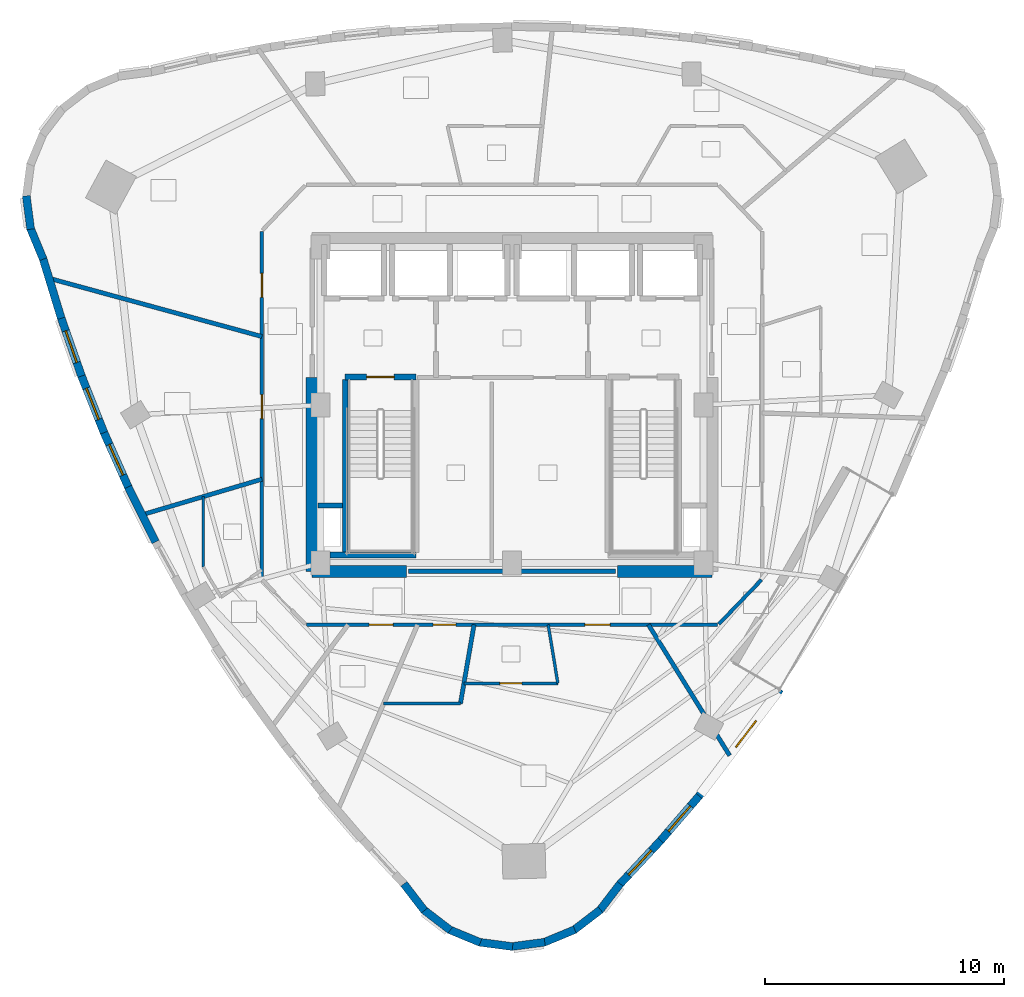
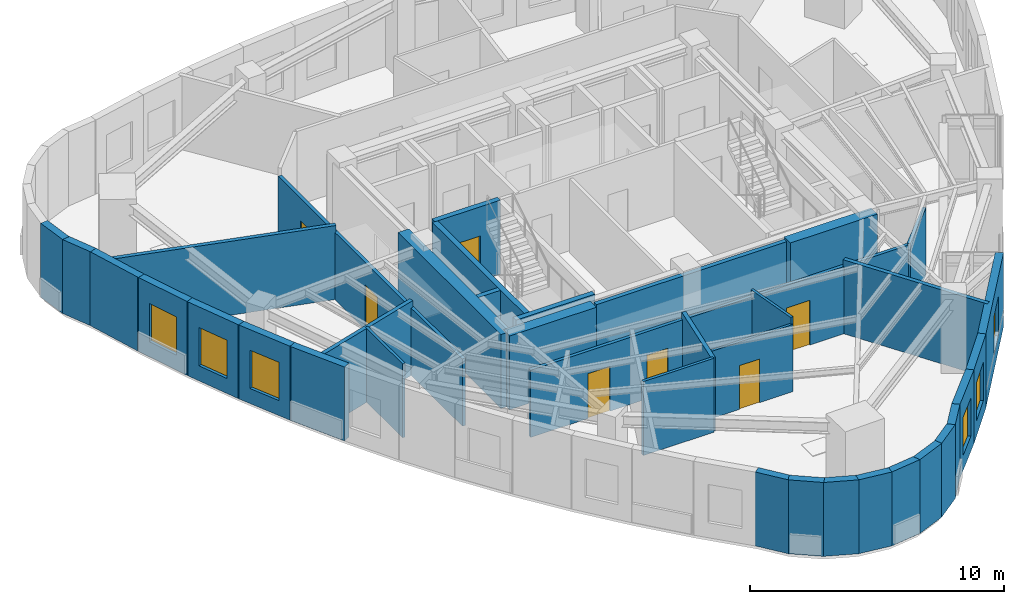
# One storey, part 6 of 12: 37 walls, 7 doors, 6 windows, 13 openings.
"""IFC4 building model written with IfcOpenShell, lengths in metres."""

from ifc_helpers import new_model, si_unit, direction, frame, frame_2d, origin, place, context, subcontext, project, spatial, rectangle, extrude, material, layer, layer_set, type_object, element, fill, save


model = new_model("IFC4")

# Units and contexts
model_context = context("Model", 3, precision=1e-05, world=origin(), true_north=direction((0.0, 1.0)))
body_context = subcontext(model_context, "Body", "Model", "MODEL_VIEW")
ifc_project = project(units=[si_unit("LENGTHUNIT", "METRE"), si_unit("AREAUNIT", "SQUARE_METRE"), si_unit("VOLUMEUNIT", "CUBIC_METRE"), si_unit("PLANEANGLEUNIT", "RADIAN"), si_unit("MASSUNIT", "GRAM", prefix="KILO")], contexts=[model_context])

# Site, building, storey
site_placement = place(None, origin())
site = spatial("IfcSite", under=ifc_project, at=site_placement, CompositionType="ELEMENT")
building_placement = place(site_placement, origin())
building = spatial("IfcBuilding", under=site, at=building_placement, Name="Ndelora Gate Hotel", CompositionType="ELEMENT")
storey_placement = place(building_placement, frame((0.0, 0.0, 209.35009765625)))
storey = spatial("IfcBuildingStorey", under=building, at=storey_placement, Name="L52", CompositionType="ELEMENT", Elevation=209.35009765625)

# Walls
ifc_material_1 = material(Name="Acoustic Double-Stud Gypsum Assembly", Category="gypsum")
ifc_layer_1 = layer(ifc_material_1, 0.179931640625)
ifc_layer_set_1 = layer_set([ifc_layer_1], Name="Acoustic Double-Stud Gypsum Assembly")
wall_type_1 = type_object("IfcWallType", Name="WL-ACOUST-180", PredefinedType="PARTITIONING", material=ifc_layer_set_1)
wall_1_placement = place(storey_placement, frame((-1.5849609375, -9.179931640625, 0.0), z_axis=(0.0, 0.0, 1.0), x_axis=(-0.170153481889, -0.985417572708, 0.0)))
element("IfcWall", 1, at=wall_1_placement, inside=storey, type_object=wall_type_1, Name="L52 Interior Wall IW-3", PredefinedType="PARTITIONING", context=body_context, shape_type="SweptSolid", body=[
    extrude(rectangle(XDim=3.348876953125, YDim=0.179931640625, at=frame_2d((1.67431640625, 0.0))), origin(), (0.0, 0.0, 1.0), 3.5498046875),
])
wall_2_placement = place(storey_placement, frame((5.699951171875, -9.179931640625, 0.0), z_axis=(0.0, 0.0, 1.0), x_axis=(0.527494096937, -0.849558695851, 0.0)))
element("IfcWall", 2, at=wall_2_placement, inside=storey, type_object=wall_type_1, Name="L52 Interior Wall IW-3", PredefinedType="PARTITIONING", context=body_context, shape_type="SweptSolid", body=[
    extrude(rectangle(XDim=6.4365234375, YDim=0.179931640625, at=frame_2d((3.21826171875, 0.0))), origin(), (0.0, 0.0, 1.0), 3.5498046875),
])
wall_3_placement = place(storey_placement, frame((-10.449951171875, 2.860107421875, 0.0), z_axis=(0.0, 0.0, 1.0), x_axis=(-0.964534389735, 0.26395721437, 0.0)))
element("IfcWall", 3, at=wall_3_placement, inside=storey, type_object=wall_type_1, Name="L52 Interior Wall IW-3", PredefinedType="PARTITIONING", context=body_context, shape_type="SweptSolid", body=[
    extrude(rectangle(XDim=9.223388671875, YDim=0.179931640625, at=frame_2d((4.61181640625, 0.0))), origin(), (0.0, 0.0, 1.0), 3.5498046875),
])
wall_4_placement = place(storey_placement, frame((-10.449951171875, -3.1015625, 0.0), z_axis=(0.0, 0.0, 1.0), x_axis=(-0.958678324952, -0.284492300894, 0.0)))
element("IfcWall", 4, at=wall_4_placement, inside=storey, type_object=wall_type_1, Name="L52 Interior Wall IW-3", PredefinedType="PARTITIONING", context=body_context, shape_type="SweptSolid", body=[
    extrude(rectangle(XDim=5.226318359375, YDim=0.179931640625, at=frame_2d((2.61328125, 0.0))), origin(), (0.0, 0.0, 1.0), 3.5498046875),
])
ifc_material_2 = material(Name="Clay Brick Masonry", Category="masonry")
ifc_layer_2 = layer(ifc_material_2, 0.330078125)
ifc_layer_set_2 = layer_set([ifc_layer_2], Name="Clay Brick Masonry")
wall_type_2 = type_object("IfcWallType", Name="WL-BRICK-330", PredefinedType="SOLIDWALL", material=ifc_layer_set_2)
for number, where, z_axis, x_axis, name in (
    (5, (-20.11279296875, 7.343505859375, 0.0), (0.0, 0.0, 1.0), (-0.130607061093, 0.991434211429, 0.0), "L52 Tower Brick Pier-and-Spandrel Wall TWR-7"),
    (6, (-19.587158203125, 6.091064453125, 0.0), (0.0, 0.0, 1.0), (-0.382668413767, 0.923885753275, 0.0), "L52 Tower Brick Pier-and-Spandrel Wall TWR-8"),
):
    element("IfcWall", number, at=place(storey_placement, frame(where, z_axis=z_axis, x_axis=x_axis)), inside=storey, type_object=wall_type_2, Name=name, PredefinedType="SOLIDWALL", context=body_context, shape_type="SweptSolid", body=[
        extrude(rectangle(XDim=1.407470703125, YDim=0.330078125, at=frame_2d((0.70361328125, 0.0))), origin(), (0.0, 0.0, 1.0), 3.5498046875),
    ])
wall_5_placement = place(storey_placement, frame((-18.83447265625, 3.621337890625, 0.0), z_axis=(0.0, 0.0, 1.0), x_axis=(-0.292416512209, 0.956291055792, 0.0)))
element("IfcWall", 7, at=wall_5_placement, inside=storey, type_object=wall_type_2, Name="L52 Tower Brick Pier-and-Spandrel Wall TWR-9", PredefinedType="SOLIDWALL", context=body_context, shape_type="SweptSolid", body=[
    extrude(rectangle(XDim=2.631591796875, YDim=0.330078125, at=frame_2d((1.31591796875, 0.0))), origin(), (0.0, 0.0, 1.0), 3.5498046875),
])

# Wall, opening, window
wall_6_placement = place(storey_placement, frame((-17.98681640625, 1.205810546875, 0.0), z_axis=(0.0, 0.0, 1.0), x_axis=(-0.330754550378, 0.94371681526, 0.0)))
wall_6 = element("IfcWall", 8, at=wall_6_placement, inside=storey, type_object=wall_type_2, Name="L52 Tower Brick Pier-and-Spandrel Wall TWR-10", PredefinedType="SOLIDWALL", context=body_context, shape_type="SweptSolid", body=[
    extrude(rectangle(XDim=2.610107421875, YDim=0.330078125, at=frame_2d((1.30517578125, 0.0))), origin(), (0.0, 0.0, 1.0), 3.5498046875),
])
opening_1_placement = place(wall_6_placement, frame((0.60498046875, 0.0, 0.719970703125)))
opening_1 = element("IfcOpeningElement", 9, at=opening_1_placement, cuts=wall_6, Name="Opening W02", PredefinedType="OPENING", context=body_context, shape_type="SweptSolid", body=[
    extrude(rectangle(XDim=1.39990234375, YDim=1.840087890625, at=frame_2d((0.699951171875, 0.919921875))), frame((0.0, 0.175048828125, 0.0), z_axis=(0.0, -1.0, 0.0), x_axis=(1.0, 0.0, 0.0)), (0.0, 0.0, 1.0), 0.35009765625),
])
ifc_material_3 = material(Name="Insulated Low-E Double Glazing in Bronze Aluminium Frame", Category="aluminium")
window_type = type_object("IfcWindowType", Name="WN-DEEP-1400", PartitioningType="SINGLE_PANEL", PredefinedType="WINDOW", material=ifc_material_3)
window_1_placement = place(opening_1_placement, origin())
window_1 = element("IfcWindow", 10, at=window_1_placement, inside=storey, type_object=window_type, Name="L52 Deep-Set Brick-Pier Window W02", OverallHeight=1.840087890625, OverallWidth=1.39990234375, PartitioningType="SINGLE_PANEL", PredefinedType="WINDOW", context=body_context, shape_type="SweptSolid", body=[
    extrude(rectangle(XDim=1.39990234375, YDim=1.840087890625, at=frame_2d((0.699951171875, 0.919921875))), frame((0.0, 0.030029296875, 0.0), z_axis=(0.0, -1.0, 0.0), x_axis=(1.0, 0.0, 0.0)), (0.0, 0.0, 1.0), 0.06005859375),
])
fill(opening_1, window_1)

wall_7_placement = place(storey_placement, frame((-17.048095703125, -1.1572265625, 0.0), z_axis=(0.0, 0.0, 1.0), x_axis=(-0.368872640276, 0.929479948819, 0.0)))
wall_7 = element("IfcWall", 11, at=wall_7_placement, inside=storey, type_object=wall_type_2, Name="L52 Tower Brick Pier-and-Spandrel Wall TWR-11", PredefinedType="SOLIDWALL", context=body_context, shape_type="SweptSolid", body=[
    extrude(rectangle(XDim=2.592529296875, YDim=0.330078125, at=frame_2d((1.29638671875, 0.0))), origin(), (0.0, 0.0, 1.0), 3.5498046875),
])
opening_2_placement = place(wall_7_placement, frame((0.59619140625, 0.0, 0.719970703125)))
opening_2 = element("IfcOpeningElement", 12, at=opening_2_placement, cuts=wall_7, Name="Opening W02", PredefinedType="OPENING", context=body_context, shape_type="SweptSolid", body=[
    extrude(rectangle(XDim=1.39990234375, YDim=1.840087890625, at=frame_2d((0.699951171875, 0.919921875))), frame((0.0, 0.175048828125, 0.0), z_axis=(0.0, -1.0, 0.0), x_axis=(1.0, 0.0, 0.0)), (0.0, 0.0, 1.0), 0.35009765625),
])
window_2_placement = place(opening_2_placement, origin())
window_2 = element("IfcWindow", 13, at=window_2_placement, inside=storey, type_object=window_type, Name="L52 Deep-Set Brick-Pier Window W02", OverallHeight=1.840087890625, OverallWidth=1.39990234375, PartitioningType="SINGLE_PANEL", PredefinedType="WINDOW", context=body_context, shape_type="SweptSolid", body=[
    extrude(rectangle(XDim=1.39990234375, YDim=1.840087890625, at=frame_2d((0.699951171875, 0.919921875))), frame((0.0, 0.030029296875, 0.0), z_axis=(0.0, -1.0, 0.0), x_axis=(1.0, 0.0, 0.0)), (0.0, 0.0, 1.0), 0.06005859375),
])
fill(opening_2, window_2)

wall_8_placement = place(storey_placement, frame((-16.01806640625, -3.46728515625, 0.0), z_axis=(0.0, 0.0, 1.0), x_axis=(-0.40690235828, 0.913471658469, 0.0)))
wall_8 = element("IfcWall", 14, at=wall_8_placement, inside=storey, type_object=wall_type_2, Name="L52 Tower Brick Pier-and-Spandrel Wall TWR-12", PredefinedType="SOLIDWALL", context=body_context, shape_type="SweptSolid", body=[
    extrude(rectangle(XDim=2.579345703125, YDim=0.330078125, at=frame_2d((1.28955078125, 0.0))), origin(), (0.0, 0.0, 1.0), 3.5498046875),
])
opening_3_placement = place(wall_8_placement, frame((0.589599609375, 0.0, 0.719970703125)))
opening_3 = element("IfcOpeningElement", 15, at=opening_3_placement, cuts=wall_8, Name="Opening W02", PredefinedType="OPENING", context=body_context, shape_type="SweptSolid", body=[
    extrude(rectangle(XDim=1.39990234375, YDim=1.840087890625, at=frame_2d((0.699951171875, 0.919921875))), frame((0.0, 0.175048828125, 0.0), z_axis=(0.0, -1.0, 0.0), x_axis=(1.0, 0.0, 0.0)), (0.0, 0.0, 1.0), 0.35009765625),
])
window_3_placement = place(opening_3_placement, origin())
window_3 = element("IfcWindow", 16, at=window_3_placement, inside=storey, type_object=window_type, Name="L52 Deep-Set Brick-Pier Window W02", OverallHeight=1.840087890625, OverallWidth=1.39990234375, PartitioningType="SINGLE_PANEL", PredefinedType="WINDOW", context=body_context, shape_type="SweptSolid", body=[
    extrude(rectangle(XDim=1.39990234375, YDim=1.840087890625, at=frame_2d((0.699951171875, 0.919921875))), frame((0.0, 0.030029296875, 0.0), z_axis=(0.0, -1.0, 0.0), x_axis=(1.0, 0.0, 0.0)), (0.0, 0.0, 1.0), 0.06005859375),
])
fill(opening_3, window_3)

# Walls
wall_9_placement = place(storey_placement, frame((-14.896484375, -5.724609375, 0.0), z_axis=(0.0, 0.0, 1.0), x_axis=(-0.444590292188, 0.895734040936, 0.0)))
element("IfcWall", 17, at=wall_9_placement, inside=storey, type_object=wall_type_2, Name="L52 Tower Brick Pier-and-Spandrel Wall TWR-13", PredefinedType="SOLIDWALL", context=body_context, shape_type="SweptSolid", body=[
    extrude(rectangle(XDim=2.570556640625, YDim=0.330078125, at=frame_2d((1.28515625, 0.0))), origin(), (0.0, 0.0, 1.0), 3.5498046875),
])
wall_10_placement = place(storey_placement, frame((-3.661865234375, -21.125, 0.0), z_axis=(0.0, 0.0, 1.0), x_axis=(-0.608762923213, 0.793352193746, 0.0)))
element("IfcWall", 18, at=wall_10_placement, inside=storey, type_object=wall_type_2, Name="L52 Tower Brick Pier-and-Spandrel Wall TWR-21", PredefinedType="SOLIDWALL", context=body_context, shape_type="SweptSolid", body=[
    extrude(rectangle(XDim=1.4072265625, YDim=0.330078125, at=frame_2d((0.70361328125, 0.0))), origin(), (0.0, 0.0, 1.0), 3.5498046875),
])
for number, where, z_axis, x_axis, name in (
    (19, (-2.580078125, -21.94677734375, 0.0), (0.0, 0.0, 1.0), (-0.793416473107, 0.608679143886, 0.0), "L52 Tower Brick Pier-and-Spandrel Wall TWR-22"),
    (20, (-1.32275390625, -22.460693359375, 0.0), (0.0, 0.0, 1.0), (-0.923885753275, 0.382668413767, 0.0), "L52 Tower Brick Pier-and-Spandrel Wall TWR-23"),
    (21, (0.02490234375, -22.631591796875, 0.0), (0.0, 0.0, 1.0), (-0.991434211429, 0.130607061093, 0.0), "L52 Tower Brick Pier-and-Spandrel Wall TWR-24"),
    (22, (1.37060546875, -22.44775390625, 0.0), (0.0, 0.0, 1.0), (-0.991434211429, -0.130607061093, 0.0), "L52 Tower Brick Pier-and-Spandrel Wall TWR-25"),
    (23, (2.623046875, -21.922119140625, 0.0), (0.0, 0.0, 1.0), (-0.923885753275, -0.382668413767, 0.0), "L52 Tower Brick Pier-and-Spandrel Wall TWR-26"),
    (24, (3.69677734375, -21.090087890625, 0.0), (0.0, 0.0, 1.0), (-0.793416473107, -0.608679143886, 0.0), "L52 Tower Brick Pier-and-Spandrel Wall TWR-27"),
):
    element("IfcWall", number, at=place(storey_placement, frame(where, z_axis=z_axis, x_axis=x_axis)), inside=storey, type_object=wall_type_2, Name=name, PredefinedType="SOLIDWALL", context=body_context, shape_type="SweptSolid", body=[
        extrude(rectangle(XDim=1.407470703125, YDim=0.330078125, at=frame_2d((0.70361328125, 0.0))), origin(), (0.0, 0.0, 1.0), 3.5498046875),
    ])
wall_11_placement = place(storey_placement, frame((4.5185546875, -20.008544921875, 0.0), z_axis=(0.0, 0.0, 1.0), x_axis=(-0.608762923213, -0.793352193746, 0.0)))
element("IfcWall", 25, at=wall_11_placement, inside=storey, type_object=wall_type_2, Name="L52 Tower Brick Pier-and-Spandrel Wall TWR-28", PredefinedType="SOLIDWALL", context=body_context, shape_type="SweptSolid", body=[
    extrude(rectangle(XDim=1.4072265625, YDim=0.330078125, at=frame_2d((0.70361328125, 0.0))), origin(), (0.0, 0.0, 1.0), 3.5498046875),
])

# Wall, opening, window
wall_12_placement = place(storey_placement, frame((6.21240234375, -18.1982421875, 0.0), z_axis=(0.0, 0.0, 1.0), x_axis=(-0.68256240295, -0.730827316183, 0.0)))
wall_12 = element("IfcWall", 26, at=wall_12_placement, inside=storey, type_object=wall_type_2, Name="L52 Tower Brick Pier-and-Spandrel Wall TWR-29", PredefinedType="SOLIDWALL", context=body_context, shape_type="SweptSolid", body=[
    extrude(rectangle(XDim=2.529052734375, YDim=0.330078125, at=frame_2d((1.2646484375, 0.0))), origin(), (0.0, 0.0, 1.0), 3.5498046875),
])
opening_4_placement = place(wall_12_placement, frame((0.564453125, 0.0, 0.719970703125)))
opening_4 = element("IfcOpeningElement", 27, at=opening_4_placement, cuts=wall_12, Name="Opening W02", PredefinedType="OPENING", context=body_context, shape_type="SweptSolid", body=[
    extrude(rectangle(XDim=1.39990234375, YDim=1.840087890625, at=frame_2d((0.699951171875, 0.919921875))), frame((0.0, 0.175048828125, 0.0), z_axis=(0.0, -1.0, 0.0), x_axis=(1.0, 0.0, 0.0)), (0.0, 0.0, 1.0), 0.35009765625),
])
window_4_placement = place(opening_4_placement, origin())
window_4 = element("IfcWindow", 28, at=window_4_placement, inside=storey, type_object=window_type, Name="L52 Deep-Set Brick-Pier Window W02", OverallHeight=1.840087890625, OverallWidth=1.39990234375, PartitioningType="SINGLE_PANEL", PredefinedType="WINDOW", context=body_context, shape_type="SweptSolid", body=[
    extrude(rectangle(XDim=1.39990234375, YDim=1.840087890625, at=frame_2d((0.699951171875, 0.919921875))), frame((0.0, 0.030029296875, 0.0), z_axis=(0.0, -1.0, 0.0), x_axis=(1.0, 0.0, 0.0)), (0.0, 0.0, 1.0), 0.06005859375),
])
fill(opening_4, window_4)

wall_13_placement = place(storey_placement, frame((7.819091796875, -16.33740234375, 0.0), z_axis=(0.0, 0.0, 1.0), x_axis=(-0.653799751014, -0.756667618954, 0.0)))
wall_13 = element("IfcWall", 29, at=wall_13_placement, inside=storey, type_object=wall_type_2, Name="L52 Tower Brick Pier-and-Spandrel Wall TWR-30", PredefinedType="SOLIDWALL", context=body_context, shape_type="SweptSolid", body=[
    extrude(rectangle(XDim=2.508544921875, YDim=0.330078125, at=frame_2d((1.25439453125, 0.0))), origin(), (0.0, 0.0, 1.0), 3.5498046875),
])
opening_5_placement = place(wall_13_placement, frame((0.554443359375, 0.0, 0.719970703125)))
opening_5 = element("IfcOpeningElement", 30, at=opening_5_placement, cuts=wall_13, Name="Opening W02", PredefinedType="OPENING", context=body_context, shape_type="SweptSolid", body=[
    extrude(rectangle(XDim=1.39990234375, YDim=1.840087890625, at=frame_2d((0.699951171875, 0.919921875))), frame((0.0, 0.175048828125, 0.0), z_axis=(0.0, -1.0, 0.0), x_axis=(1.0, 0.0, 0.0)), (0.0, 0.0, 1.0), 0.35009765625),
])
window_5_placement = place(opening_5_placement, origin())
window_5 = element("IfcWindow", 31, at=window_5_placement, inside=storey, type_object=window_type, Name="L52 Deep-Set Brick-Pier Window W02", OverallHeight=1.840087890625, OverallWidth=1.39990234375, PartitioningType="SINGLE_PANEL", PredefinedType="WINDOW", context=body_context, shape_type="SweptSolid", body=[
    extrude(rectangle(XDim=1.39990234375, YDim=1.840087890625, at=frame_2d((0.699951171875, 0.919921875))), frame((0.0, 0.030029296875, 0.0), z_axis=(0.0, -1.0, 0.0), x_axis=(1.0, 0.0, 0.0)), (0.0, 0.0, 1.0), 0.06005859375),
])
fill(opening_5, window_5)

wall_14_placement = place(storey_placement, frame((11.200927734375, -11.865478515625, 0.0), z_axis=(0.0, 0.0, 1.0), x_axis=(-0.603392230828, -0.797444553418, 0.0)))
wall_14 = element("IfcWall", 32, at=wall_14_placement, inside=storey, type_object=wall_type_2, Name="L52 Tower Brick Pier-and-Spandrel Wall TWR-31", PredefinedType="SOLIDWALL", context=body_context, shape_type="SweptSolid", body=[
    extrude(rectangle(XDim=5.656494140625, YDim=0.330078125, at=frame_2d((2.828125, 0.0))), origin(), (0.0, 0.0, 1.0), 3.5498046875),
])
opening_6_placement = place(wall_14_placement, frame((1.659912109375, 0.0, 0.719970703125)))
opening_6 = element("IfcOpeningElement", 33, at=opening_6_placement, cuts=wall_14, Name="Opening W02", PredefinedType="OPENING", context=body_context, shape_type="SweptSolid", body=[
    extrude(rectangle(XDim=1.39990234375, YDim=1.8798828125, at=frame_2d((0.699951171875, 0.93994140625))), frame((0.0, 0.175048828125, 0.0), z_axis=(0.0, -1.0, 0.0), x_axis=(1.0, 0.0, 0.0)), (0.0, 0.0, 1.0), 0.35009765625),
])
window_6_placement = place(opening_6_placement, origin())
window_6 = element("IfcWindow", 34, at=window_6_placement, inside=storey, type_object=window_type, Name="L52 Deep-Set Brick-Pier Window W02", OverallHeight=1.8798828125, OverallWidth=1.39990234375, PartitioningType="SINGLE_PANEL", PredefinedType="WINDOW", context=body_context, shape_type="SweptSolid", body=[
    extrude(rectangle(XDim=1.39990234375, YDim=1.8798828125, at=frame_2d((0.699951171875, 0.93994140625))), frame((0.0, 0.030029296875, 0.0), z_axis=(0.0, -1.0, 0.0), x_axis=(1.0, 0.0, 0.0)), (0.0, 0.0, 1.0), 0.06005859375),
])
fill(opening_6, window_6)

# Walls
ifc_material_4 = material(Name="Concrete C50/60", Category="concrete")
ifc_layer_3 = layer(ifc_material_4, 0.5)
ifc_layer_set_3 = layer_set([ifc_layer_3], Name="Concrete C50/60")
wall_type_3 = type_object("IfcWallType", Name="WL-CORE-500", PredefinedType="SHEAR", material=ifc_layer_set_3)
for number, where, z_axis, x_axis, name in (
    (35, (-8.35009765625, -6.949951171875, 0.0), (0.0, 0.0, 1.0), (1.0, 0.0, 0.0), "L52 Core Shear Wall S-W"),
    (36, (4.39990234375, -6.949951171875, 0.0), (0.0, 0.0, 1.0), (1.0, 0.0, 0.0), "L52 Core Shear Wall S-E"),
):
    element("IfcWall", number, at=place(storey_placement, frame(where, z_axis=z_axis, x_axis=x_axis)), inside=storey, type_object=wall_type_3, Name=name, PredefinedType="SHEAR", context=body_context, shape_type="SweptSolid", body=[
        extrude(rectangle(XDim=3.9501953125, YDim=0.5, at=frame_2d((1.97509765625, 0.0))), origin(), (0.0, 0.0, 1.0), 3.5498046875),
    ])
wall_15_placement = place(storey_placement, frame((-8.35009765625, -6.949951171875, 0.0), z_axis=(0.0, 0.0, 1.0), x_axis=(0.0, 1.0, 0.0)))
element("IfcWall", 37, at=wall_15_placement, inside=storey, type_object=wall_type_3, Name="L52 Core Shear Wall W", PredefinedType="SHEAR", context=body_context, shape_type="SweptSolid", body=[
    extrude(rectangle(XDim=8.099853515625, YDim=0.5, at=frame_2d((4.0498046875, 0.0))), origin(), (0.0, 0.0, 1.0), 3.5498046875),
])
ifc_material_5 = material(Name="Concrete C40/50", Category="concrete")
ifc_layer_4 = layer(ifc_material_5, 0.199951171875)
ifc_layer_set_4 = layer_set([ifc_layer_4], Name="Concrete C40/50")
wall_type_4 = type_object("IfcWallType", Name="WL-FIRE-200", PredefinedType="PARTITIONING", material=ifc_layer_set_4)
wall_16_placement = place(storey_placement, frame((-4.320068359375, -6.949951171875, 0.0), z_axis=(0.0, 0.0, 1.0), x_axis=(1.0, 0.0, 0.0)))
element("IfcWall", 38, at=wall_16_placement, inside=storey, type_object=wall_type_4, Name="L52 Interior Wall IW-2", PredefinedType="PARTITIONING", context=body_context, shape_type="SweptSolid", body=[
    extrude(rectangle(XDim=8.64013671875, YDim=0.199951171875, at=frame_2d((4.320068359375, 0.0))), origin(), (0.0, 0.0, 1.0), 3.5498046875),
])

# Wall, openings, doors
ifc_material_6 = material(Name="Fire-Rated Gypsum Stud Partition", Category="gypsum")
ifc_layer_5 = layer(ifc_material_6, 0.14990234375)
ifc_layer_set_5 = layer_set([ifc_layer_5], Name="Fire-Rated Gypsum Stud Partition")
wall_type_5 = type_object("IfcWallType", Name="WL-PART-150", PredefinedType="PARTITIONING", material=ifc_layer_set_5)
wall_17_placement = place(storey_placement, frame((8.580078125, -9.179931640625, 0.0), z_axis=(0.0, 0.0, 1.0), x_axis=(-1.0, 0.0, 0.0)))
wall_17 = element("IfcWall", 39, at=wall_17_placement, inside=storey, type_object=wall_type_5, Name="L52 Interior Wall IW-5", PredefinedType="PARTITIONING", context=body_context, shape_type="SweptSolid", body=[
    extrude(rectangle(XDim=17.16015625, YDim=0.14990234375, at=frame_2d((8.580078125, 0.0))), origin(), (0.0, 0.0, 1.0), 3.22998046875),
])
opening_7_placement = place(wall_17_placement, frame((10.927978515625, 0.0, 0.0)))
opening_7 = element("IfcOpeningElement", 40, at=opening_7_placement, cuts=wall_17, Name="Opening D05", PredefinedType="OPENING", context=body_context, shape_type="SweptSolid", body=[
    extrude(rectangle(XDim=0.949951171875, YDim=2.10009765625, at=frame_2d((0.47509765625, 1.050048828125))), frame((0.0, 0.0849609375, 0.0), z_axis=(0.0, -1.0, 0.0), x_axis=(1.0, 0.0, 0.0)), (0.0, 0.0, 1.0), 0.169921875),
])
opening_8_placement = place(wall_17_placement, frame((13.548828125, 0.0, 0.0)))
opening_8 = element("IfcOpeningElement", 41, at=opening_8_placement, cuts=wall_17, Name="Opening D01", PredefinedType="OPENING", context=body_context, shape_type="SweptSolid", body=[
    extrude(rectangle(XDim=1.0, YDim=2.14990234375, at=frame_2d((0.5, 1.074951171875))), frame((0.0, 0.0849609375, 0.0), z_axis=(0.0, -1.0, 0.0), x_axis=(1.0, 0.0, 0.0)), (0.0, 0.0, 1.0), 0.169921875),
])
opening_9_placement = place(wall_17_placement, frame((4.47900390625, 0.0, 0.0)))
opening_9 = element("IfcOpeningElement", 42, at=opening_9_placement, cuts=wall_17, Name="Opening D07", PredefinedType="OPENING", context=body_context, shape_type="SweptSolid", body=[
    extrude(rectangle(XDim=1.06005859375, YDim=2.14990234375, at=frame_2d((0.530029296875, 1.074951171875))), frame((0.0, 0.0849609375, 0.0), z_axis=(0.0, -1.0, 0.0), x_axis=(1.0, 0.0, 0.0)), (0.0, 0.0, 1.0), 0.169921875),
])
ifc_material_7 = material(Name="Accessible Restroom Wide-Clearance Door", Category="wood")
door_type_1 = type_object("IfcDoorType", Name="DR-ACC-950", OperationType="SINGLE_SWING_LEFT", PredefinedType="DOOR", material=ifc_material_7)
door_1_placement = place(opening_7_placement, origin())
door_1 = element("IfcDoor", 43, at=door_1_placement, inside=storey, type_object=door_type_1, Name="L52 Accessible WC Entrance Door", OperationType="SINGLE_SWING_RIGHT", OverallHeight=2.10009765625, OverallWidth=0.949951171875, PredefinedType="DOOR", context=body_context, shape_type="SweptSolid", body=[
    extrude(rectangle(XDim=0.949951171875, YDim=2.10009765625, at=frame_2d((0.47509765625, 1.050048828125))), frame((0.0, 0.02490234375, 0.0), z_axis=(0.0, -1.0, 0.0), x_axis=(1.0, 0.0, 0.0)), (0.0, 0.0, 1.0), 0.050048828125),
])
fill(opening_7, door_1)
ifc_material_8 = material(Name="Acoustic Hardwood Guest Entrance Door", Category="wood")
door_type_2 = type_object("IfcDoorType", Name="DR-COR-1000", OperationType="SINGLE_SWING_LEFT", PredefinedType="DOOR", material=ifc_material_8)
door_2_placement = place(opening_8_placement, origin())
door_2 = element("IfcDoor", 44, at=door_2_placement, inside=storey, type_object=door_type_2, Name="L52 Housekeeping and Linen Room Entrance Door", OperationType="SINGLE_SWING_LEFT", OverallHeight=2.14990234375, OverallWidth=1.0, PredefinedType="DOOR", context=body_context, shape_type="SweptSolid", body=[
    extrude(rectangle(XDim=1.0, YDim=2.14990234375, at=frame_2d((0.5, 1.074951171875))), frame((0.0, 0.02490234375, 0.0), z_axis=(0.0, -1.0, 0.0), x_axis=(1.0, 0.0, 0.0)), (0.0, 0.0, 1.0), 0.050048828125),
])
fill(opening_8, door_2)
ifc_material_9 = material(Name="Diplomatic Suite Acoustic Entrance Door", Category="wood")
door_type_3 = type_object("IfcDoorType", Name="DR-SUITE-1060", OperationType="SINGLE_SWING_LEFT", PredefinedType="DOOR", material=ifc_material_9)
door_3_placement = place(opening_9_placement, origin())
door_3 = element("IfcDoor", 45, at=door_3_placement, inside=storey, type_object=door_type_3, Name="L52 Corner Conservatory Suite 5501 Entrance Door", OperationType="SINGLE_SWING_LEFT", OverallHeight=2.14990234375, OverallWidth=1.06005859375, PredefinedType="DOOR", context=body_context, shape_type="SweptSolid", body=[
    extrude(rectangle(XDim=1.06005859375, YDim=2.14990234375, at=frame_2d((0.530029296875, 1.074951171875))), frame((0.0, 0.02490234375, 0.0), z_axis=(0.0, -1.0, 0.0), x_axis=(1.0, 0.0, 0.0)), (0.0, 0.0, 1.0), 0.050048828125),
])
fill(opening_9, door_3)

# Wall
wall_18_placement = place(storey_placement, frame((10.42236328125, -7.308837890625, 0.0), z_axis=(0.0, 0.0, 1.0), x_axis=(-0.693764562202, -0.720201869085, 0.0)))
element("IfcWall", 46, at=wall_18_placement, inside=storey, type_object=wall_type_5, Name="L52 Interior Wall IW-5", PredefinedType="PARTITIONING", context=body_context, shape_type="SweptSolid", body=[
    extrude(rectangle(XDim=2.55810546875, YDim=0.14990234375, at=frame_2d((1.279052734375, 0.0))), origin(), (0.0, 0.0, 1.0), 3.22998046875),
])

# Wall, openings, doors
wall_19_placement = place(storey_placement, frame((-10.449951171875, -7.239990234375, 0.0), z_axis=(0.0, 0.0, 1.0), x_axis=(0.0, 1.0, 0.0)))
wall_19 = element("IfcWall", 47, at=wall_19_placement, inside=storey, type_object=wall_type_5, Name="L52 Interior Wall IW-5", PredefinedType="PARTITIONING", context=body_context, shape_type="SweptSolid", body=[
    extrude(rectangle(XDim=14.47998046875, YDim=0.14990234375, at=frame_2d((7.239990234375, 0.0))), origin(), (0.0, 0.0, 1.0), 3.22998046875),
])
opening_10_placement = place(wall_19_placement, frame((6.668701171875, 0.0, 0.0)))
opening_10 = element("IfcOpeningElement", 48, at=opening_10_placement, cuts=wall_19, Name="Opening D01", PredefinedType="OPENING", context=body_context, shape_type="SweptSolid", body=[
    extrude(rectangle(XDim=1.0, YDim=2.14990234375, at=frame_2d((0.5, 1.074951171875))), frame((0.0, 0.0849609375, 0.0), z_axis=(0.0, -1.0, 0.0), x_axis=(1.0, 0.0, 0.0)), (0.0, 0.0, 1.0), 0.169921875),
])
opening_11_placement = place(wall_19_placement, frame((11.739990234375, 0.0, 0.0)))
opening_11 = element("IfcOpeningElement", 49, at=opening_11_placement, cuts=wall_19, Name="Opening D01", PredefinedType="OPENING", context=body_context, shape_type="SweptSolid", body=[
    extrude(rectangle(XDim=1.0, YDim=2.14990234375, at=frame_2d((0.5, 1.074951171875))), frame((0.0, 0.0849609375, 0.0), z_axis=(0.0, -1.0, 0.0), x_axis=(1.0, 0.0, 0.0)), (0.0, 0.0, 1.0), 0.169921875),
])
door_4_placement = place(opening_10_placement, origin())
door_4 = element("IfcDoor", 50, at=door_4_placement, inside=storey, type_object=door_type_2, Name="L52 Sommelier Wine Kitchen Entrance Door", OperationType="SINGLE_SWING_LEFT", OverallHeight=2.14990234375, OverallWidth=1.0, PredefinedType="DOOR", context=body_context, shape_type="SweptSolid", body=[
    extrude(rectangle(XDim=1.0, YDim=2.14990234375, at=frame_2d((0.5, 1.074951171875))), frame((0.0, 0.02490234375, 0.0), z_axis=(0.0, -1.0, 0.0), x_axis=(1.0, 0.0, 0.0)), (0.0, 0.0, 1.0), 0.050048828125),
])
fill(opening_10, door_4)
door_5_placement = place(opening_11_placement, origin())
door_5 = element("IfcDoor", 51, at=door_5_placement, inside=storey, type_object=door_type_2, Name="L52 Private Banquet Dining Room Entrance Door", OperationType="SINGLE_SWING_RIGHT", OverallHeight=2.14990234375, OverallWidth=1.0, PredefinedType="DOOR", context=body_context, shape_type="SweptSolid", body=[
    extrude(rectangle(XDim=1.0, YDim=2.14990234375, at=frame_2d((0.5, 1.074951171875))), frame((0.0, 0.02490234375, 0.0), z_axis=(0.0, -1.0, 0.0), x_axis=(1.0, 0.0, 0.0)), (0.0, 0.0, 1.0), 0.050048828125),
])
fill(opening_11, door_5)

# Walls
ifc_layer_6 = layer(ifc_material_5, 0.219970703125)
ifc_layer_set_6 = layer_set([ifc_layer_6], Name="Concrete C40/50")
wall_type_6 = type_object("IfcWallType", Name="WL-SHAFT-220", PredefinedType="PARTITIONING", material=ifc_layer_set_6)
wall_20_placement = place(storey_placement, frame((-8.10009765625, -4.199951171875, 0.0), z_axis=(0.0, 0.0, 1.0), x_axis=(1.0, 0.0, 0.0)))
element("IfcWall", 52, at=wall_20_placement, inside=storey, type_object=wall_type_6, Name="L52 Interior Wall IW-1", PredefinedType="PARTITIONING", context=body_context, shape_type="SweptSolid", body=[
    extrude(rectangle(XDim=1.010009765625, YDim=0.219970703125, at=frame_2d((0.5048828125, 0.0))), origin(), (0.0, 0.0, 1.0), 3.5498046875),
])
ifc_layer_7 = layer(ifc_material_4, 0.239990234375)
ifc_layer_set_7 = layer_set([ifc_layer_7], Name="Concrete C50/60")
wall_type_7 = type_object("IfcWallType", Name="WL-STAIR-240", PredefinedType="SHEAR", material=ifc_layer_set_7)
wall_21_placement = place(storey_placement, frame((-6.969970703125, -6.159912109375, 0.0), z_axis=(0.0, 0.0, 1.0), x_axis=(0.0, 1.0, 0.0)))
element("IfcWall", 53, at=wall_21_placement, inside=storey, type_object=wall_type_7, Name="L52 Stair Core Shear Wall SW-ST", PredefinedType="SHEAR", context=body_context, shape_type="SweptSolid", body=[
    extrude(rectangle(XDim=7.219970703125, YDim=0.239990234375, at=frame_2d((3.60986328125, 0.0))), origin(), (0.0, 0.0, 1.0), 3.5498046875),
])
wall_22_placement = place(storey_placement, frame((-7.60009765625, -6.27001953125, 0.0), z_axis=(0.0, 0.0, 1.0), x_axis=(1.0, 0.0, 0.0)))
element("IfcWall", 54, at=wall_22_placement, inside=storey, type_object=wall_type_7, Name="L52 Stair Core Shear Wall SW-ST", PredefinedType="SHEAR", context=body_context, shape_type="SweptSolid", body=[
    extrude(rectangle(XDim=3.590087890625, YDim=0.239990234375, at=frame_2d((1.794921875, 0.0))), origin(), (0.0, 0.0, 1.0), 3.5498046875),
])

# Wall, opening, door
wall_23_placement = place(storey_placement, frame((-6.969970703125, 1.169921875, 0.0), z_axis=(0.0, 0.0, 1.0), x_axis=(1.0, 0.0, 0.0)))
wall_23 = element("IfcWall", 55, at=wall_23_placement, inside=storey, type_object=wall_type_7, Name="L52 Stair Core Shear Wall SW-ST", PredefinedType="SHEAR", context=body_context, shape_type="SweptSolid", body=[
    extrude(rectangle(XDim=2.9599609375, YDim=0.239990234375, at=frame_2d((1.47998046875, 0.0))), origin(), (0.0, 0.0, 1.0), 3.5498046875),
])
opening_12_placement = place(wall_23_placement, frame((0.89990234375, 0.0, 0.0)))
opening_12 = element("IfcOpeningElement", 56, at=opening_12_placement, cuts=wall_23, Name="Opening FD1", PredefinedType="OPENING", context=body_context, shape_type="SweptSolid", body=[
    extrude(rectangle(XDim=1.14990234375, YDim=2.14990234375, at=frame_2d((0.574951171875, 1.074951171875))), frame((0.0, 0.1298828125, 0.0), z_axis=(0.0, -1.0, 0.0), x_axis=(1.0, 0.0, 0.0)), (0.0, 0.0, 1.0), 0.260009765625),
])
ifc_material_10 = material(Name="Fire-Rated Timber-Veneer Steel Core", Category="steel")
door_type_4 = type_object("IfcDoorType", Name="DR-FD60", OperationType="SINGLE_SWING_LEFT", PredefinedType="DOOR", material=ifc_material_10)
door_6_placement = place(opening_12_placement, origin())
door_6 = element("IfcDoor", 57, at=door_6_placement, inside=storey, type_object=door_type_4, Name="L52 Exit Stair ST4 Door", OperationType="SINGLE_SWING_LEFT", OverallHeight=2.14990234375, OverallWidth=1.14990234375, PredefinedType="DOOR", context=body_context, shape_type="SweptSolid", body=[
    extrude(rectangle(XDim=1.14990234375, YDim=2.14990234375, at=frame_2d((0.574951171875, 1.074951171875))), frame((0.0, 0.02490234375, 0.0), z_axis=(0.0, -1.0, 0.0), x_axis=(1.0, 0.0, 0.0)), (0.0, 0.0, 1.0), 0.050048828125),
])
fill(opening_12, door_6)

# Wall
ifc_material_11 = material(Name="Moisture-Resistant Bathroom Tile Partition", Category="gypsum")
ifc_layer_8 = layer(ifc_material_11, 0.1201171875)
ifc_layer_set_8 = layer_set([ifc_layer_8], Name="Moisture-Resistant Bathroom Tile Partition")
wall_type_8 = type_object("IfcWallType", Name="WL-WET-120", PredefinedType="PARTITIONING", material=ifc_layer_set_8)
wall_24_placement = place(storey_placement, frame((1.916015625, -11.6298828125, 0.0), z_axis=(0.0, 0.0, 1.0), x_axis=(-0.162628879968, 0.986687309841, 0.0)))
element("IfcWall", 58, at=wall_24_placement, inside=storey, type_object=wall_type_8, Name="L52 Interior Wall IW-7", PredefinedType="PARTITIONING", context=body_context, shape_type="SweptSolid", body=[
    extrude(rectangle(XDim=2.48291015625, YDim=0.1201171875, at=frame_2d((1.241455078125, 0.0))), origin(), (0.0, 0.0, 1.0), 3.5498046875),
])

# Wall, opening, door
wall_25_placement = place(storey_placement, frame((1.916015625, -11.6298828125, 0.0), z_axis=(0.0, 0.0, 1.0), x_axis=(-1.0, 0.0, 0.0)))
wall_25 = element("IfcWall", 59, at=wall_25_placement, inside=storey, type_object=wall_type_8, Name="L52 Interior Wall IW-7", PredefinedType="PARTITIONING", context=body_context, shape_type="SweptSolid", body=[
    extrude(rectangle(XDim=3.924072265625, YDim=0.1201171875, at=frame_2d((1.9619140625, 0.0))), origin(), (0.0, 0.0, 1.0), 3.22998046875),
])
opening_13_placement = place(wall_25_placement, frame((1.501953125, 0.0, 0.0)))
opening_13 = element("IfcOpeningElement", 60, at=opening_13_placement, cuts=wall_25, Name="Opening D03", PredefinedType="OPENING", context=body_context, shape_type="SweptSolid", body=[
    extrude(rectangle(XDim=0.919921875, YDim=2.10009765625, at=frame_2d((0.4599609375, 1.050048828125))), frame((0.0, 0.070068359375, 0.0), z_axis=(0.0, -1.0, 0.0), x_axis=(1.0, 0.0, 0.0)), (0.0, 0.0, 1.0), 0.14013671875),
])
ifc_material_12 = material(Name="Moisture-Resistant Hardwood En-Suite Door", Category="wood")
door_type_5 = type_object("IfcDoorType", Name="DR-BATH-920", OperationType="SINGLE_SWING_LEFT", PredefinedType="DOOR", material=ifc_material_12)
door_7_placement = place(opening_13_placement, origin())
door_7 = element("IfcDoor", 61, at=door_7_placement, inside=storey, type_object=door_type_5, Name="L52 En-suite Bathroom 5501 Door", OperationType="SINGLE_SWING_RIGHT", OverallHeight=2.10009765625, OverallWidth=0.919921875, PredefinedType="DOOR", context=body_context, shape_type="SweptSolid", body=[
    extrude(rectangle(XDim=0.919921875, YDim=2.10009765625, at=frame_2d((0.4599609375, 1.050048828125))), frame((0.0, 0.02490234375, 0.0), z_axis=(0.0, -1.0, 0.0), x_axis=(1.0, 0.0, 0.0)), (0.0, 0.0, 1.0), 0.050048828125),
])
fill(opening_13, door_7)

# Walls
wall_26_placement = place(storey_placement, frame((-12.89990234375, -3.82861328125, 0.0), z_axis=(0.0, 0.0, 1.0), x_axis=(0.0, -1.0, 0.0)))
element("IfcWall", 62, at=wall_26_placement, inside=storey, type_object=wall_type_8, Name="L52 Interior Wall IW-7", PredefinedType="PARTITIONING", context=body_context, shape_type="SweptSolid", body=[
    extrude(rectangle(XDim=2.9306640625, YDim=0.1201171875, at=frame_2d((1.46533203125, 0.0))), origin(), (0.0, 0.0, 1.0), 3.5498046875),
])
ifc_material_13 = material(Name="Moisture-Resistant Fire-Rated Tile Partition", Category="gypsum")
ifc_layer_9 = layer(ifc_material_13, 0.1298828125)
ifc_layer_set_9 = layer_set([ifc_layer_9], Name="Moisture-Resistant Fire-Rated Tile Partition")
wall_type_9 = type_object("IfcWallType", Name="WL-WET-RATED", PredefinedType="PARTITIONING", material=ifc_layer_set_9)
wall_27_placement = place(storey_placement, frame((-2.15478515625, -12.47998046875, 0.0), z_axis=(0.0, 0.0, 1.0), x_axis=(-1.0, 0.0, 0.0)))
element("IfcWall", 63, at=wall_27_placement, inside=storey, type_object=wall_type_9, Name="L52 Interior Wall IW-6", PredefinedType="PARTITIONING", context=body_context, shape_type="SweptSolid", body=[
    extrude(rectangle(XDim=3.2109375, YDim=0.1298828125, at=frame_2d((1.60546875, 0.0))), origin(), (0.0, 0.0, 1.0), 3.5498046875),
])

save(model, "model.ifc")
